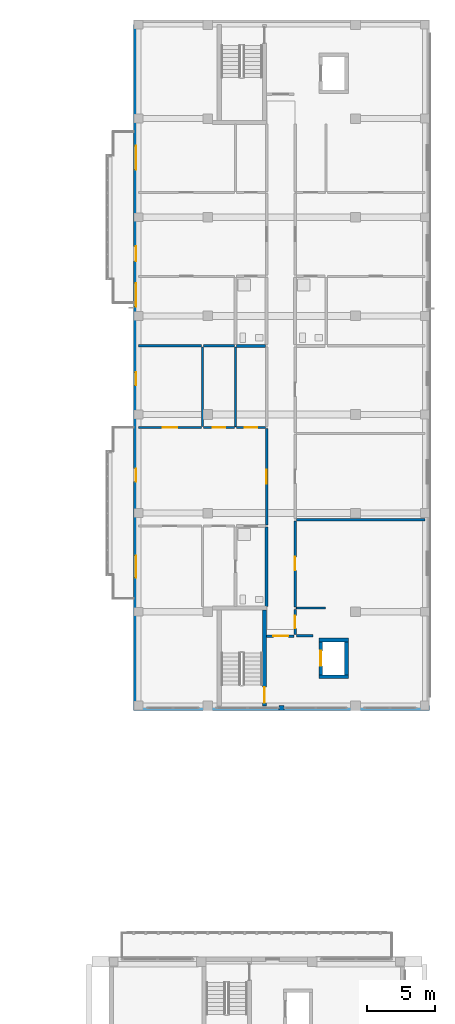
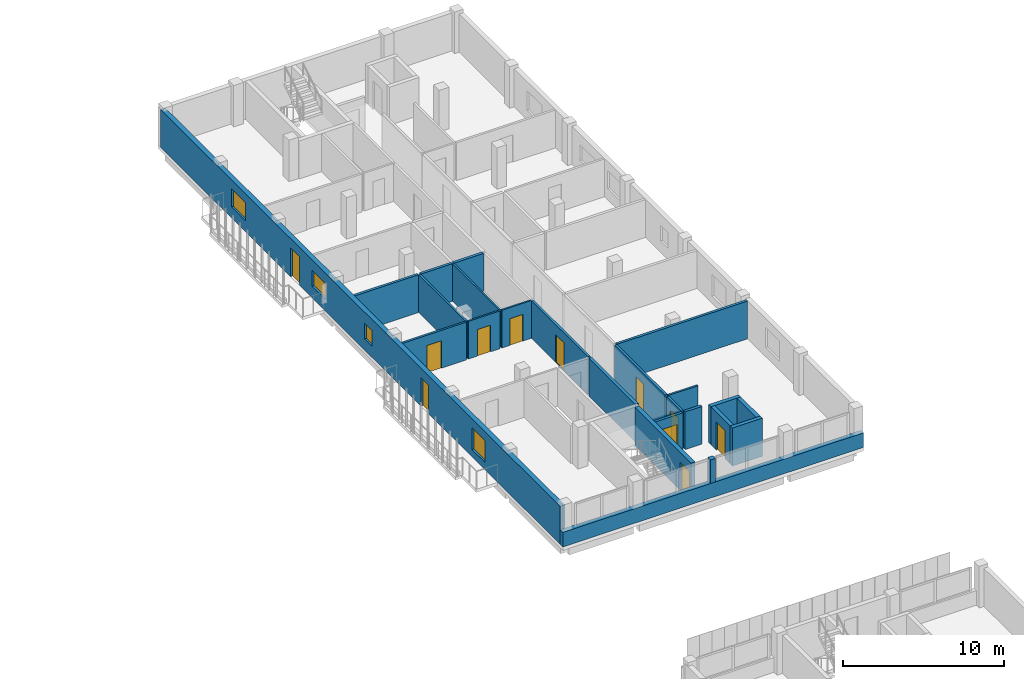
# One storey, part 34 of 51: 24 walls, 11 doors, 4 windows, 15 openings.
"""IFC4 building model written with IfcOpenShell, lengths in metres."""

from ifc_helpers import new_model, si_unit, derived_unit, direction, frame, frame_2d, origin, place, context, subcontext, project, spatial, rectangle, extrude, material, layer, layer_set, type_object, element, fill, save


model = new_model("IFC4")

# Units and contexts
model_context = context("Model", 3, precision=1e-05, world=origin(), true_north=direction((0.0, 1.0)))
body_context = subcontext(model_context, "Body", "Model", "MODEL_VIEW")
ifc_project = project(units=[si_unit("LENGTHUNIT", "METRE"), si_unit("AREAUNIT", "SQUARE_METRE"), si_unit("VOLUMEUNIT", "CUBIC_METRE"), si_unit("PLANEANGLEUNIT", "RADIAN"), si_unit("MASSUNIT", "GRAM", prefix="KILO"), derived_unit("THERMALTRANSMITTANCEUNIT", [(si_unit("MASSUNIT", "GRAM", prefix="KILO"), 1), (si_unit("TIMEUNIT", "SECOND"), -3), (si_unit("THERMODYNAMICTEMPERATUREUNIT", "KELVIN"), -1)])], contexts=[model_context])

# Site, building, storey
site_placement = place(None, origin())
site = spatial("IfcSite", under=ifc_project, at=site_placement, CompositionType="ELEMENT")
building_placement = place(site_placement, origin())
building = spatial("IfcBuilding", under=site, at=building_placement, Name="Ochrekiln Boulevard Commons", CompositionType="ELEMENT")
storey_placement = place(building_placement, frame((0.0, 0.0, 18.375)))
storey = spatial("IfcBuildingStorey", under=building, at=storey_placement, Name="L05", CompositionType="ELEMENT", Elevation=18.375)

# Wall, openings, doors, windows
ifc_material_1 = material(Name="Iron-spot brown clinker brick masonry ASTM C216 Grade SW", Category="masonry")
ifc_layer_1 = layer(ifc_material_1, 0.340087890625)
ifc_layer_set_1 = layer_set([ifc_layer_1], Name="Iron-spot brown clinker brick masonry ASTM C216 Grade SW")
wall_type_1 = type_object("IfcWallType", Name="WL-EXT-IRON-340", PredefinedType="SOLIDWALL", material=ifc_layer_set_1)
wall_1_placement = place(storey_placement, frame((151.3701171875, 68.739990234375, 0.0), z_axis=(0.0, 0.0, 1.0), x_axis=(0.0, 1.0, 0.0)))
wall_1 = element("IfcWall", 1, at=wall_1_placement, inside=storey, type_object=wall_type_1, Name="Block B L05 W Exterior Wall", PredefinedType="SOLIDWALL", context=body_context, shape_type="SweptSolid", body=[
    extrude(rectangle(XDim=49.719970703125, YDim=0.340087890625, at=frame_2d((24.85986328125, 0.0))), origin(), (0.0, 0.0, 1.0), 2.889892578125),
])
opening_1_placement = place(wall_1_placement, frame((16.360107421875, 0.0, 0.0)))
opening_1 = element("IfcOpeningElement", 2, at=opening_1_placement, cuts=wall_1, Name="Opening D-L05-BL029", PredefinedType="OPENING", context=body_context, shape_type="SweptSolid", body=[
    extrude(rectangle(XDim=0.949951171875, YDim=2.14990234375, at=frame_2d((0.47509765625, 1.074951171875))), frame((0.0, 0.179931640625, 0.0), z_axis=(0.0, -1.0, 0.0), x_axis=(1.0, 0.0, 0.0)), (0.0, 0.0, 1.0), 0.360107421875),
])
opening_2_placement = place(wall_1_placement, frame((9.35302734375, 0.0, 0.554931640625)))
opening_2 = element("IfcOpeningElement", 3, at=opening_2_placement, cuts=wall_1, Name="Opening W-34", PredefinedType="OPENING", context=body_context, shape_type="SweptSolid", body=[
    extrude(rectangle(XDim=1.60009765625, YDim=1.64990234375, at=frame_2d((0.800048828125, 0.824951171875))), frame((0.0, 0.179931640625, 0.0), z_axis=(0.0, -1.0, 0.0), x_axis=(1.0, 0.0, 0.0)), (0.0, 0.0, 1.0), 0.360107421875),
])
opening_3_placement = place(wall_1_placement, frame((23.37890625, 0.0, 0.85009765625)))
opening_3 = element("IfcOpeningElement", 4, at=opening_3_placement, cuts=wall_1, Name="Opening W-01", PredefinedType="OPENING", context=body_context, shape_type="SweptSolid", body=[
    extrude(rectangle(XDim=0.949951171875, YDim=1.199951171875, at=frame_2d((0.47509765625, 0.60009765625))), frame((0.0, 0.179931640625, 0.0), z_axis=(0.0, -1.0, 0.0), x_axis=(1.0, 0.0, 0.0)), (0.0, 0.0, 1.0), 0.360107421875),
])
opening_4_placement = place(wall_1_placement, frame((32.455078125, 0.0, 0.0)))
opening_4 = element("IfcOpeningElement", 5, at=opening_4_placement, cuts=wall_1, Name="Opening D-L05-BL030", PredefinedType="OPENING", context=body_context, shape_type="SweptSolid", body=[
    extrude(rectangle(XDim=1.080078125, YDim=2.179931640625, at=frame_2d((0.5400390625, 1.08984375))), frame((0.0, 0.179931640625, 0.0), z_axis=(0.0, -1.0, 0.0), x_axis=(1.0, 0.0, 0.0)), (0.0, 0.0, 1.0), 0.360107421875),
])
opening_5_placement = place(wall_1_placement, frame((29.139892578125, 0.0, 0.89990234375)))
opening_5 = element("IfcOpeningElement", 6, at=opening_5_placement, cuts=wall_1, Name="Opening W-36", PredefinedType="OPENING", context=body_context, shape_type="SweptSolid", body=[
    extrude(rectangle(XDim=1.719970703125, YDim=1.199951171875, at=frame_2d((0.85986328125, 0.60009765625))), frame((0.0, 0.179931640625, 0.0), z_axis=(0.0, -1.0, 0.0), x_axis=(1.0, 0.0, 0.0)), (0.0, 0.0, 1.0), 0.360107421875),
])
opening_6_placement = place(wall_1_placement, frame((39.14404296875, 0.0, 0.85498046875)))
opening_6 = element("IfcOpeningElement", 7, at=opening_6_placement, cuts=wall_1, Name="Opening W-37", PredefinedType="OPENING", context=body_context, shape_type="SweptSolid", body=[
    extrude(rectangle(XDim=1.719970703125, YDim=1.35009765625, at=frame_2d((0.85986328125, 0.675048828125))), frame((0.0, 0.179931640625, 0.0), z_axis=(0.0, -1.0, 0.0), x_axis=(1.0, 0.0, 0.0)), (0.0, 0.0, 1.0), 0.360107421875),
])
ifc_material_2 = material(Name="Thermally broken aluminium-clad oak frame", Category="aluminium")
door_type_1 = type_object("IfcDoorType", Name="DR-EXT-BAL-095", OperationType="NOTDEFINED", PredefinedType="DOOR", material=ifc_material_2)
door_1_placement = place(opening_1_placement, origin())
door_1 = element("IfcDoor", 8, at=door_1_placement, inside=storey, type_object=door_type_1, Name="Block B L05 Glazed Balcony Patio Door", OperationType="SINGLE_SWING_RIGHT", OverallHeight=2.14990234375, OverallWidth=0.949951171875, PredefinedType="DOOR", context=body_context, shape_type="SweptSolid", body=[
    extrude(rectangle(XDim=0.949951171875, YDim=2.14990234375, at=frame_2d((0.47509765625, 1.074951171875))), frame((0.0, 0.02490234375, 0.0), z_axis=(0.0, -1.0, 0.0), x_axis=(1.0, 0.0, 0.0)), (0.0, 0.0, 1.0), 0.050048828125),
])
fill(opening_1, door_1)
door_type_2 = type_object("IfcDoorType", Name="DR-EXT-BAL-108", OperationType="NOTDEFINED", PredefinedType="DOOR", material=ifc_material_2)
door_2_placement = place(opening_4_placement, origin())
door_2 = element("IfcDoor", 9, at=door_2_placement, inside=storey, type_object=door_type_2, Name="Block B L05 Glazed Balcony Patio Door", OperationType="SINGLE_SWING_LEFT", OverallHeight=2.179931640625, OverallWidth=1.080078125, PredefinedType="DOOR", context=body_context, shape_type="SweptSolid", body=[
    extrude(rectangle(XDim=1.080078125, YDim=2.179931640625, at=frame_2d((0.5400390625, 1.08984375))), frame((0.0, 0.02490234375, 0.0), z_axis=(0.0, -1.0, 0.0), x_axis=(1.0, 0.0, 0.0)), (0.0, 0.0, 1.0), 0.050048828125),
])
fill(opening_4, door_2)
window_type_1 = type_object("IfcWindowType", Name="WIN-EXT-01", PartitioningType="SINGLE_PANEL", PredefinedType="WINDOW", material=ifc_material_2)
window_1_placement = place(opening_3_placement, origin())
window_1 = element("IfcWindow", 10, at=window_1_placement, inside=storey, type_object=window_type_1, Name="Block B L05 Punched Masonry Window W-01", OverallHeight=1.199951171875, OverallWidth=0.949951171875, PartitioningType="SINGLE_PANEL", PredefinedType="WINDOW", context=body_context, shape_type="SweptSolid", body=[
    extrude(rectangle(XDim=0.949951171875, YDim=1.199951171875, at=frame_2d((0.47509765625, 0.60009765625))), frame((0.0, 0.030029296875, 0.0), z_axis=(0.0, -1.0, 0.0), x_axis=(1.0, 0.0, 0.0)), (0.0, 0.0, 1.0), 0.06005859375),
])
fill(opening_3, window_1)
window_type_2 = type_object("IfcWindowType", Name="WIN-EXT-34", PartitioningType="DOUBLE_PANEL_VERTICAL", PredefinedType="WINDOW", material=ifc_material_2)
window_2_placement = place(opening_2_placement, origin())
window_2 = element("IfcWindow", 11, at=window_2_placement, inside=storey, type_object=window_type_2, Name="Block B L05 Punched Masonry Window W-34", OverallHeight=1.64990234375, OverallWidth=1.60009765625, PartitioningType="DOUBLE_PANEL_VERTICAL", PredefinedType="WINDOW", context=body_context, shape_type="SweptSolid", body=[
    extrude(rectangle(XDim=1.60009765625, YDim=1.64990234375, at=frame_2d((0.800048828125, 0.824951171875))), frame((0.0, 0.030029296875, 0.0), z_axis=(0.0, -1.0, 0.0), x_axis=(1.0, 0.0, 0.0)), (0.0, 0.0, 1.0), 0.06005859375),
])
fill(opening_2, window_2)
window_type_3 = type_object("IfcWindowType", Name="WIN-EXT-36", PartitioningType="DOUBLE_PANEL_VERTICAL", PredefinedType="WINDOW", material=ifc_material_2)
window_3_placement = place(opening_5_placement, origin())
window_3 = element("IfcWindow", 12, at=window_3_placement, inside=storey, type_object=window_type_3, Name="Block B L05 Punched Masonry Window W-36", OverallHeight=1.199951171875, OverallWidth=1.719970703125, PartitioningType="DOUBLE_PANEL_VERTICAL", PredefinedType="WINDOW", context=body_context, shape_type="SweptSolid", body=[
    extrude(rectangle(XDim=1.719970703125, YDim=1.199951171875, at=frame_2d((0.85986328125, 0.60009765625))), frame((0.0, 0.030029296875, 0.0), z_axis=(0.0, -1.0, 0.0), x_axis=(1.0, 0.0, 0.0)), (0.0, 0.0, 1.0), 0.06005859375),
])
fill(opening_5, window_3)
window_type_4 = type_object("IfcWindowType", Name="WIN-EXT-37", PartitioningType="DOUBLE_PANEL_VERTICAL", PredefinedType="WINDOW", material=ifc_material_2)
window_4_placement = place(opening_6_placement, origin())
window_4 = element("IfcWindow", 13, at=window_4_placement, inside=storey, type_object=window_type_4, Name="Block B L05 Punched Masonry Window W-37", OverallHeight=1.35009765625, OverallWidth=1.719970703125, PartitioningType="DOUBLE_PANEL_VERTICAL", PredefinedType="WINDOW", context=body_context, shape_type="SweptSolid", body=[
    extrude(rectangle(XDim=1.719970703125, YDim=1.35009765625, at=frame_2d((0.85986328125, 0.675048828125))), frame((0.0, 0.030029296875, 0.0), z_axis=(0.0, -1.0, 0.0), x_axis=(1.0, 0.0, 0.0)), (0.0, 0.0, 1.0), 0.06005859375),
])
fill(opening_6, window_4)

# Walls
wall_2_placement = place(storey_placement, frame((151.199951171875, 68.570068359375, 0.0), z_axis=(0.0, 0.0, 1.0), x_axis=(1.0, 0.0, 0.0)))
element("IfcWall", 14, at=wall_2_placement, inside=storey, type_object=wall_type_1, Name="Block B L05 Courtyard Gable Sill Wall", PredefinedType="SOLIDWALL", context=body_context, shape_type="SweptSolid", body=[
    extrude(rectangle(XDim=21.60009765625, YDim=0.340087890625, at=frame_2d((10.800048828125, 0.0))), origin(), (0.0, 0.0, 1.0), 1.110107421875),
])
wall_3_placement = place(storey_placement, frame((161.820068359375, 68.570068359375, 1.110107421875), z_axis=(0.0, 0.0, 1.0), x_axis=(1.0, 0.0, 0.0)))
element("IfcWall", 15, at=wall_3_placement, inside=storey, type_object=wall_type_1, Name="Block B L05 Courtyard Gable Mullion Pier", PredefinedType="SOLIDWALL", context=body_context, shape_type="SweptSolid", body=[
    extrude(rectangle(XDim=0.35986328125, YDim=0.340087890625, at=frame_2d((0.179931640625, 0.0))), origin(), (0.0, 0.0, 1.0), 1.77978515625),
])
ifc_material_3 = material(Name="Moisture-resistant cementitious tile backer wall")
ifc_layer_2 = layer(ifc_material_3, 0.199951171875)
ifc_layer_set_2 = layer_set([ifc_layer_2], Name="Moisture-resistant cementitious tile backer wall")
wall_type_2 = type_object("IfcWallType", Name="WL-PLM-200", PredefinedType="PLUMBINGWALL", material=ifc_layer_set_2)
wall_4_placement = place(storey_placement, frame((158.699951171875, 95.008056640625, 0.0), z_axis=(0.0, 0.0, 1.0), x_axis=(1.0, 0.0, 0.0)))
element("IfcWall", 16, at=wall_4_placement, inside=storey, type_object=wall_type_2, Name="L05 Interior Wall W-PW200", PredefinedType="PLUMBINGWALL", context=body_context, shape_type="SweptSolid", body=[
    extrude(rectangle(XDim=2.126953125, YDim=0.199951171875, at=frame_2d((1.0634765625, 0.0))), origin(), (0.0, 0.0, 1.0), 2.8701171875),
])
ifc_layer_3 = layer(ifc_material_3, 0.219970703125)
ifc_layer_set_3 = layer_set([ifc_layer_3], Name="Moisture-resistant cementitious tile backer wall")
wall_type_3 = type_object("IfcWallType", Name="WL-PLM-220", PredefinedType="PLUMBINGWALL", material=ifc_layer_set_3)
wall_5_placement = place(storey_placement, frame((160.909912109375, 76.0, 0.0), z_axis=(0.0, 0.0, 1.0), x_axis=(0.0, 1.0, 0.0)))
element("IfcWall", 17, at=wall_5_placement, inside=storey, type_object=wall_type_3, Name="L05 Interior Wall W-PW220", PredefinedType="PLUMBINGWALL", context=body_context, shape_type="SweptSolid", body=[
    extrude(rectangle(XDim=5.784912109375, YDim=0.219970703125, at=frame_2d((2.892578125, 0.0))), origin(), (0.0, 0.0, 1.0), 2.8701171875),
])
ifc_material_4 = material(Name="Fire-rated Type X gypsum board on steel studs", Category="steel")
ifc_layer_4 = layer(ifc_material_4, 0.139892578125)
ifc_layer_set_4 = layer_set([ifc_layer_4], Name="Fire-rated Type X gypsum board on steel studs")
wall_type_4 = type_object("IfcWallType", Name="WL-PT-ACO-140", PredefinedType="PARTITIONING", material=ifc_layer_set_4)
wall_6_placement = place(storey_placement, frame((163.072998046875, 75.875, 0.0), z_axis=(0.0, 0.0, 1.0), x_axis=(1.0, 0.0, 0.0)))
element("IfcWall", 18, at=wall_6_placement, inside=storey, type_object=wall_type_4, Name="L05 Interior Wall W-PA140", PredefinedType="PARTITIONING", context=body_context, shape_type="SweptSolid", body=[
    extrude(rectangle(XDim=2.126953125, YDim=0.139892578125, at=frame_2d((1.0634765625, 0.0))), origin(), (0.0, 0.0, 1.0), 2.8701171875),
])

# Wall, opening, door
ifc_layer_5 = layer(ifc_material_4, 0.1650390625)
ifc_layer_set_5 = layer_set([ifc_layer_5], Name="Fire-rated Type X gypsum board on steel studs")
wall_type_5 = type_object("IfcWallType", Name="WL-PT-CORR-165", PredefinedType="PARTITIONING", material=ifc_layer_set_5)
wall_7_placement = place(storey_placement, frame((162.989990234375, 73.929931640625, 0.0), z_axis=(0.0, 0.0, 1.0), x_axis=(0.0, 1.0, 0.0)))
wall_7 = element("IfcWall", 19, at=wall_7_placement, inside=storey, type_object=wall_type_5, Name="L05 Interior Wall W-PC165", PredefinedType="PARTITIONING", context=body_context, shape_type="SweptSolid", body=[
    extrude(rectangle(XDim=1.820068359375, YDim=0.1650390625, at=frame_2d((0.91015625, 0.0))), origin(), (0.0, 0.0, 1.0), 2.8701171875),
])
opening_7_placement = place(wall_7_placement, frame((0.4599609375, 0.0, 0.0)))
opening_7 = element("IfcOpeningElement", 20, at=opening_7_placement, cuts=wall_7, Name="Opening D-L05-705", PredefinedType="OPENING", context=body_context, shape_type="SweptSolid", body=[
    extrude(rectangle(XDim=0.919921875, YDim=2.0400390625, at=frame_2d((0.4599609375, 1.02001953125))), frame((0.0, 0.092529296875, 0.0), z_axis=(0.0, -1.0, 0.0), x_axis=(1.0, 0.0, 0.0)), (0.0, 0.0, 1.0), 0.18505859375),
])
ifc_material_5 = material(Name="Hollow metal fire-rated steel door assembly", Category="steel")
door_type_3 = type_object("IfcDoorType", Name="DR-SRV-90", OperationType="NOTDEFINED", PredefinedType="DOOR", material=ifc_material_5)
door_3_placement = place(opening_7_placement, frame((0.919921875, 0.0, 0.0), z_axis=(0.0, 0.0, 1.0), x_axis=(-1.0, 0.0, 0.0)))
door_3 = element("IfcDoor", 21, at=door_3_placement, inside=storey, type_object=door_type_3, Name="L05 Interior Door to Hydronic and Electrical Riser Room", OperationType="SINGLE_SWING_LEFT", OverallHeight=2.0400390625, OverallWidth=0.919921875, PredefinedType="DOOR", context=body_context, shape_type="SweptSolid", body=[
    extrude(rectangle(XDim=0.919921875, YDim=2.0400390625, at=frame_2d((0.4599609375, 1.02001953125))), frame((0.0, 0.02490234375, 0.0), z_axis=(0.0, -1.0, 0.0), x_axis=(1.0, 0.0, 0.0)), (0.0, 0.0, 1.0), 0.050048828125),
])
fill(opening_7, door_3)

wall_8_placement = place(storey_placement, frame((160.909912109375, 81.945068359375, 0.0), z_axis=(0.0, 0.0, 1.0), x_axis=(0.0, 1.0, 0.0)))
wall_8 = element("IfcWall", 22, at=wall_8_placement, inside=storey, type_object=wall_type_5, Name="L05 Interior Wall W-PC165", PredefinedType="PARTITIONING", context=body_context, shape_type="SweptSolid", body=[
    extrude(rectangle(XDim=7.02783203125, YDim=0.1650390625, at=frame_2d((3.513916015625, 0.0))), origin(), (0.0, 0.0, 1.0), 2.8701171875),
])
opening_8_placement = place(wall_8_placement, frame((3.009033203125, 0.0, 0.0)))
opening_8 = element("IfcOpeningElement", 23, at=opening_8_placement, cuts=wall_8, Name="Opening D-L05-706", PredefinedType="OPENING", context=body_context, shape_type="SweptSolid", body=[
    extrude(rectangle(XDim=1.010009765625, YDim=2.110107421875, at=frame_2d((0.5048828125, 1.05517578125))), frame((0.0, 0.092529296875, 0.0), z_axis=(0.0, -1.0, 0.0), x_axis=(1.0, 0.0, 0.0)), (0.0, 0.0, 1.0), 0.18505859375),
])
ifc_material_6 = material(Name="Solid core architectural oak door leaf")
door_type_4 = type_object("IfcDoorType", Name="DR-INT-APT-101", OperationType="NOTDEFINED", PredefinedType="DOOR", material=ifc_material_6)
door_4_placement = place(opening_8_placement, origin())
door_4 = element("IfcDoor", 24, at=door_4_placement, inside=storey, type_object=door_type_4, Name="L05 Interior Door to Two-Bedroom Apartment Living Room", OperationType="SINGLE_SWING_RIGHT", OverallHeight=2.110107421875, OverallWidth=1.010009765625, PredefinedType="DOOR", context=body_context, shape_type="SweptSolid", body=[
    extrude(rectangle(XDim=1.010009765625, YDim=2.110107421875, at=frame_2d((0.5048828125, 1.05517578125))), frame((0.0, 0.02490234375, 0.0), z_axis=(0.0, -1.0, 0.0), x_axis=(1.0, 0.0, 0.0)), (0.0, 0.0, 1.0), 0.050048828125),
])
fill(opening_8, door_4)

wall_9_placement = place(storey_placement, frame((162.989990234375, 75.945068359375, 0.0), z_axis=(0.0, 0.0, 1.0), x_axis=(0.0, 1.0, 0.0)))
wall_9 = element("IfcWall", 25, at=wall_9_placement, inside=storey, type_object=wall_type_5, Name="L05 Interior Wall W-PC165", PredefinedType="PARTITIONING", context=body_context, shape_type="SweptSolid", body=[
    extrude(rectangle(XDim=6.27099609375, YDim=0.1650390625, at=frame_2d((3.135498046875, 0.0))), origin(), (0.0, 0.0, 1.0), 2.8701171875),
])
opening_9_placement = place(wall_9_placement, frame((2.673095703125, 0.0, 0.0)))
opening_9 = element("IfcOpeningElement", 26, at=opening_9_placement, cuts=wall_9, Name="Opening D-L05-708", PredefinedType="OPENING", context=body_context, shape_type="SweptSolid", body=[
    extrude(rectangle(XDim=0.97998046875, YDim=2.080078125, at=frame_2d((0.489990234375, 1.0400390625))), frame((0.0, 0.092529296875, 0.0), z_axis=(0.0, -1.0, 0.0), x_axis=(1.0, 0.0, 0.0)), (0.0, 0.0, 1.0), 0.18505859375),
])
door_type_5 = type_object("IfcDoorType", Name="DR-APT-60", OperationType="NOTDEFINED", PredefinedType="DOOR", material=ifc_material_6)
door_5_placement = place(opening_9_placement, frame((0.97998046875, 0.0, 0.0), z_axis=(0.0, 0.0, 1.0), x_axis=(-1.0, 0.0, 0.0)))
door_5 = element("IfcDoor", 27, at=door_5_placement, inside=storey, type_object=door_type_5, Name="L05 Interior Door to Resident Study Lounge", OperationType="SINGLE_SWING_RIGHT", OverallHeight=2.080078125, OverallWidth=0.97998046875, PredefinedType="DOOR", context=body_context, shape_type="SweptSolid", body=[
    extrude(rectangle(XDim=0.97998046875, YDim=2.080078125, at=frame_2d((0.489990234375, 1.0400390625))), frame((0.0, 0.02490234375, 0.0), z_axis=(0.0, -1.0, 0.0), x_axis=(1.0, 0.0, 0.0)), (0.0, 0.0, 1.0), 0.050048828125),
])
fill(opening_9, door_5)

# Walls
ifc_layer_6 = layer(ifc_material_4, 0.179931640625)
ifc_layer_set_6 = layer_set([ifc_layer_6], Name="Fire-rated Type X gypsum board on steel studs")
wall_type_6 = type_object("IfcWallType", Name="WL-PT-DEM-180", PredefinedType="PARTITIONING", material=ifc_layer_set_6)
wall_10_placement = place(storey_placement, frame((151.5400390625, 95.008056640625, 0.0), z_axis=(0.0, 0.0, 1.0), x_axis=(1.0, 0.0, 0.0)))
element("IfcWall", 28, at=wall_10_placement, inside=storey, type_object=wall_type_6, Name="L05 Interior Wall W-PD180", PredefinedType="PARTITIONING", context=body_context, shape_type="SweptSolid", body=[
    extrude(rectangle(XDim=4.60986328125, YDim=0.179931640625, at=frame_2d((2.304931640625, 0.0))), origin(), (0.0, 0.0, 1.0), 2.8701171875),
])
wall_11_placement = place(storey_placement, frame((156.304931640625, 95.008056640625, 0.0), z_axis=(0.0, 0.0, 1.0), x_axis=(1.0, 0.0, 0.0)))
element("IfcWall", 29, at=wall_11_placement, inside=storey, type_object=wall_type_6, Name="L05 Interior Wall W-PD180", PredefinedType="PARTITIONING", context=body_context, shape_type="SweptSolid", body=[
    extrude(rectangle(XDim=2.275146484375, YDim=0.179931640625, at=frame_2d((1.1376953125, 0.0))), origin(), (0.0, 0.0, 1.0), 2.8701171875),
])
wall_12_placement = place(storey_placement, frame((163.072998046875, 82.305908203125, 0.0), z_axis=(0.0, 0.0, 1.0), x_axis=(1.0, 0.0, 0.0)))
element("IfcWall", 30, at=wall_12_placement, inside=storey, type_object=wall_type_6, Name="L05 Interior Wall W-PD180", PredefinedType="PARTITIONING", context=body_context, shape_type="SweptSolid", body=[
    extrude(rectangle(XDim=9.386962890625, YDim=0.179931640625, at=frame_2d((4.693359375, 0.0))), origin(), (0.0, 0.0, 1.0), 2.8701171875),
])
ifc_layer_7 = layer(ifc_material_4, 0.18994140625)
ifc_layer_set_7 = layer_set([ifc_layer_7], Name="Fire-rated Type X gypsum board on steel studs")
wall_type_7 = type_object("IfcWallType", Name="WL-PT-LBY-190", PredefinedType="PARTITIONING", material=ifc_layer_set_7)
wall_13_placement = place(storey_placement, frame((163.080078125, 73.8349609375, 0.0), z_axis=(0.0, 0.0, 1.0), x_axis=(1.0, 0.0, 0.0)))
element("IfcWall", 31, at=wall_13_placement, inside=storey, type_object=wall_type_7, Name="L05 Interior Wall W-PL190", PredefinedType="PARTITIONING", context=body_context, shape_type="SweptSolid", body=[
    extrude(rectangle(XDim=1.219970703125, YDim=0.18994140625, at=frame_2d((0.60986328125, 0.0))), origin(), (0.0, 0.0, 1.0), 2.8701171875),
])

# Wall, opening, door
wall_14_placement = place(storey_placement, frame((160.89990234375, 73.820068359375, 0.0), z_axis=(0.0, 0.0, 1.0), x_axis=(1.0, 0.0, 0.0)))
wall_14 = element("IfcWall", 32, at=wall_14_placement, inside=storey, type_object=wall_type_7, Name="L05 Interior Wall W-PL190", PredefinedType="PARTITIONING", context=body_context, shape_type="SweptSolid", body=[
    extrude(rectangle(XDim=2.0, YDim=0.18994140625, at=frame_2d((1.0, 0.0))), origin(), (0.0, 0.0, 1.0), 2.8701171875),
])
opening_10_placement = place(wall_14_placement, frame((0.5, 0.0, 0.0)))
opening_10 = element("IfcOpeningElement", 33, at=opening_10_placement, cuts=wall_14, Name="Opening D-L05-703", PredefinedType="OPENING", context=body_context, shape_type="SweptSolid", body=[
    extrude(rectangle(XDim=1.10009765625, YDim=2.1201171875, at=frame_2d((0.550048828125, 1.06005859375))), frame((0.0, 0.10498046875, 0.0), z_axis=(0.0, -1.0, 0.0), x_axis=(1.0, 0.0, 0.0)), (0.0, 0.0, 1.0), 0.2099609375),
])
door_type_6 = type_object("IfcDoorType", Name="DR-LOBBY-60", OperationType="NOTDEFINED", PredefinedType="DOOR", material=ifc_material_5)
door_6_placement = place(opening_10_placement, frame((1.10009765625, 0.0, 0.0), z_axis=(0.0, 0.0, 1.0), x_axis=(-1.0, 0.0, 0.0)))
door_6 = element("IfcDoor", 34, at=door_6_placement, inside=storey, type_object=door_type_6, Name="L05 Interior Door to Fire Service Access Elevator Lobby", OperationType="SINGLE_SWING_LEFT", OverallHeight=2.1201171875, OverallWidth=1.10009765625, PredefinedType="DOOR", context=body_context, shape_type="SweptSolid", body=[
    extrude(rectangle(XDim=1.10009765625, YDim=2.1201171875, at=frame_2d((0.550048828125, 1.06005859375))), frame((0.0, 0.02490234375, 0.0), z_axis=(0.0, -1.0, 0.0), x_axis=(1.0, 0.0, 0.0)), (0.0, 0.0, 1.0), 0.050048828125),
])
fill(opening_10, door_6)

ifc_layer_8 = layer(ifc_material_4, 0.1201171875)
ifc_layer_set_8 = layer_set([ifc_layer_8], Name="Fire-rated Type X gypsum board on steel studs")
wall_type_8 = type_object("IfcWallType", Name="WL-PT-LGT-120", PredefinedType="PARTITIONING", material=ifc_layer_set_8)
wall_15_placement = place(storey_placement, frame((158.719970703125, 89.052978515625, 0.0), z_axis=(0.0, 0.0, 1.0), x_axis=(1.0, 0.0, 0.0)))
wall_15 = element("IfcWall", 35, at=wall_15_placement, inside=storey, type_object=wall_type_8, Name="L05 Interior Wall W-PL120", PredefinedType="PARTITIONING", context=body_context, shape_type="SweptSolid", body=[
    extrude(rectangle(XDim=2.10693359375, YDim=0.1201171875, at=frame_2d((1.053466796875, 0.0))), origin(), (0.0, 0.0, 1.0), 2.8701171875),
])
opening_11_placement = place(wall_15_placement, frame((0.590087890625, 0.0, 0.0)))
opening_11 = element("IfcOpeningElement", 36, at=opening_11_placement, cuts=wall_15, Name="Opening D-L05-713", PredefinedType="OPENING", context=body_context, shape_type="SweptSolid", body=[
    extrude(rectangle(XDim=0.919921875, YDim=2.02001953125, at=frame_2d((0.4599609375, 1.010009765625))), frame((0.0, 0.070068359375, 0.0), z_axis=(0.0, -1.0, 0.0), x_axis=(1.0, 0.0, 0.0)), (0.0, 0.0, 1.0), 0.14013671875),
])
door_type_7 = type_object("IfcDoorType", Name="DR-INT-KIT-092", OperationType="NOTDEFINED", PredefinedType="DOOR", material=ifc_material_6)
door_7_placement = place(opening_11_placement, origin())
door_7 = element("IfcDoor", 37, at=door_7_placement, inside=storey, type_object=door_type_7, Name="L05 Interior Door to Apartment Kitchen", OperationType="SINGLE_SWING_LEFT", OverallHeight=2.02001953125, OverallWidth=0.919921875, PredefinedType="DOOR", context=body_context, shape_type="SweptSolid", body=[
    extrude(rectangle(XDim=0.919921875, YDim=2.02001953125, at=frame_2d((0.4599609375, 1.010009765625))), frame((0.0, 0.02490234375, 0.0), z_axis=(0.0, -1.0, 0.0), x_axis=(1.0, 0.0, 0.0)), (0.0, 0.0, 1.0), 0.050048828125),
])
fill(opening_11, door_7)

wall_16_placement = place(storey_placement, frame((156.31005859375, 89.052978515625, 0.0), z_axis=(0.0, 0.0, 1.0), x_axis=(1.0, 0.0, 0.0)))
wall_16 = element("IfcWall", 38, at=wall_16_placement, inside=storey, type_object=wall_type_8, Name="L05 Interior Wall W-PL120", PredefinedType="PARTITIONING", context=body_context, shape_type="SweptSolid", body=[
    extrude(rectangle(XDim=2.25, YDim=0.1201171875, at=frame_2d((1.125, 0.0))), origin(), (0.0, 0.0, 1.0), 2.8701171875),
])
opening_12_placement = place(wall_16_placement, frame((0.6650390625, 0.0, 0.0)))
opening_12 = element("IfcOpeningElement", 39, at=opening_12_placement, cuts=wall_16, Name="Opening D-L05-717", PredefinedType="OPENING", context=body_context, shape_type="SweptSolid", body=[
    extrude(rectangle(XDim=0.919921875, YDim=2.02001953125, at=frame_2d((0.4599609375, 1.010009765625))), frame((0.0, 0.070068359375, 0.0), z_axis=(0.0, -1.0, 0.0), x_axis=(1.0, 0.0, 0.0)), (0.0, 0.0, 1.0), 0.14013671875),
])
door_8_placement = place(opening_12_placement, origin())
door_8 = element("IfcDoor", 40, at=door_8_placement, inside=storey, type_object=door_type_7, Name="L05 Interior Door to Apartment Walk-In Wardrobe", OperationType="SINGLE_SWING_LEFT", OverallHeight=2.02001953125, OverallWidth=0.919921875, PredefinedType="DOOR", context=body_context, shape_type="SweptSolid", body=[
    extrude(rectangle(XDim=0.919921875, YDim=2.02001953125, at=frame_2d((0.4599609375, 1.010009765625))), frame((0.0, 0.02490234375, 0.0), z_axis=(0.0, -1.0, 0.0), x_axis=(1.0, 0.0, 0.0)), (0.0, 0.0, 1.0), 0.050048828125),
])
fill(opening_12, door_8)

# Wall
wall_17_placement = place(storey_placement, frame((158.639892578125, 89.113037109375, 0.0), z_axis=(0.0, 0.0, 1.0), x_axis=(0.0, 1.0, 0.0)))
element("IfcWall", 41, at=wall_17_placement, inside=storey, type_object=wall_type_8, Name="L05 Interior Wall W-PL120", PredefinedType="PARTITIONING", context=body_context, shape_type="SweptSolid", body=[
    extrude(rectangle(XDim=5.804931640625, YDim=0.1201171875, at=frame_2d((2.90234375, 0.0))), origin(), (0.0, 0.0, 1.0), 2.8701171875),
])

# Wall, opening, door
ifc_layer_9 = layer(ifc_material_4, 0.14990234375)
ifc_layer_set_9 = layer_set([ifc_layer_9], Name="Fire-rated Type X gypsum board on steel studs")
wall_type_9 = type_object("IfcWallType", Name="WL-PT-STD-150", PredefinedType="PARTITIONING", material=ifc_layer_set_9)
wall_18_placement = place(storey_placement, frame((151.5400390625, 89.052978515625, 0.0), z_axis=(0.0, 0.0, 1.0), x_axis=(1.0, 0.0, 0.0)))
wall_18 = element("IfcWall", 42, at=wall_18_placement, inside=storey, type_object=wall_type_9, Name="L05 Interior Wall W-PS150", PredefinedType="PARTITIONING", context=body_context, shape_type="SweptSolid", body=[
    extrude(rectangle(XDim=4.60986328125, YDim=0.14990234375, at=frame_2d((2.304931640625, 0.0))), origin(), (0.0, 0.0, 1.0), 2.8701171875),
])
opening_13_placement = place(wall_18_placement, frame((1.7900390625, 0.0, 0.0)))
opening_13 = element("IfcOpeningElement", 43, at=opening_13_placement, cuts=wall_18, Name="Opening D-L05-716", PredefinedType="OPENING", context=body_context, shape_type="SweptSolid", body=[
    extrude(rectangle(XDim=1.0400390625, YDim=2.080078125, at=frame_2d((0.52001953125, 1.0400390625))), frame((0.0, 0.0849609375, 0.0), z_axis=(0.0, -1.0, 0.0), x_axis=(1.0, 0.0, 0.0)), (0.0, 0.0, 1.0), 0.169921875),
])
door_type_8 = type_object("IfcDoorType", Name="DR-INT-BED-104", OperationType="NOTDEFINED", PredefinedType="DOOR", material=ifc_material_6)
door_9_placement = place(opening_13_placement, origin())
door_9 = element("IfcDoor", 44, at=door_9_placement, inside=storey, type_object=door_type_8, Name="L05 Interior Door to Secondary Apartment Bedroom", OperationType="SINGLE_SWING_RIGHT", OverallHeight=2.080078125, OverallWidth=1.0400390625, PredefinedType="DOOR", context=body_context, shape_type="SweptSolid", body=[
    extrude(rectangle(XDim=1.0400390625, YDim=2.080078125, at=frame_2d((0.52001953125, 1.0400390625))), frame((0.0, 0.02490234375, 0.0), z_axis=(0.0, -1.0, 0.0), x_axis=(1.0, 0.0, 0.0)), (0.0, 0.0, 1.0), 0.050048828125),
])
fill(opening_13, door_9)

# Walls
wall_19_placement = place(storey_placement, frame((156.22998046875, 89.113037109375, 0.0), z_axis=(0.0, 0.0, 1.0), x_axis=(0.0, 1.0, 0.0)))
element("IfcWall", 45, at=wall_19_placement, inside=storey, type_object=wall_type_9, Name="L05 Interior Wall W-PS150", PredefinedType="PARTITIONING", context=body_context, shape_type="SweptSolid", body=[
    extrude(rectangle(XDim=5.804931640625, YDim=0.14990234375, at=frame_2d((2.90234375, 0.0))), origin(), (0.0, 0.0, 1.0), 2.8701171875),
])
ifc_material_7 = material(Name="Concrete C40/50", Category="concrete")
ifc_layer_10 = layer(ifc_material_7, 0.27490234375)
ifc_layer_set_10 = layer_set([ifc_layer_10], Name="Concrete C40/50")
wall_type_10 = type_object("IfcWallType", Name="WL-SH-275", PredefinedType="SHEAR", material=ifc_layer_set_10)
for number, where, z_axis, x_axis, name in (
    (46, (164.72509765625, 70.862548828125, 0.0), (0.0, 0.0, 1.0), (1.0, 0.0, 0.0), "Elevator FF-B1 L05 Hoistway Shear Wall"),
    (47, (164.72509765625, 73.53759765625, 0.0), (0.0, 0.0, 1.0), (1.0, 0.0, 0.0), "Elevator FF-B1 L05 Hoistway Shear Wall"),
):
    element("IfcWall", number, at=place(storey_placement, frame(where, z_axis=z_axis, x_axis=x_axis)), inside=storey, type_object=wall_type_10, Name=name, PredefinedType="SHEAR", context=body_context, shape_type="SweptSolid", body=[
        extrude(rectangle(XDim=2.14990234375, YDim=0.27490234375, at=frame_2d((1.074951171875, 0.0))), origin(), (0.0, 0.0, 1.0), 2.889892578125),
    ])

# Wall, opening, door
wall_20_placement = place(storey_placement, frame((164.862548828125, 71.0, 0.0), z_axis=(0.0, 0.0, 1.0), x_axis=(0.0, 1.0, 0.0)))
wall_20 = element("IfcWall", 48, at=wall_20_placement, inside=storey, type_object=wall_type_10, Name="Elevator FF-B1 L05 Hoistway Shear Wall", PredefinedType="SHEAR", context=body_context, shape_type="SweptSolid", body=[
    extrude(rectangle(XDim=2.39990234375, YDim=0.27490234375, at=frame_2d((1.199951171875, 0.0))), origin(), (0.0, 0.0, 1.0), 2.889892578125),
])
opening_14_placement = place(wall_20_placement, frame((0.64990234375, 0.0, 0.0)))
opening_14 = element("IfcOpeningElement", 49, at=opening_14_placement, cuts=wall_20, Name="Opening LD-FF-B1-L05", PredefinedType="OPENING", context=body_context, shape_type="SweptSolid", body=[
    extrude(rectangle(XDim=1.10009765625, YDim=2.14990234375, at=frame_2d((0.550048828125, 1.074951171875))), frame((0.0, 0.1474609375, 0.0), z_axis=(0.0, -1.0, 0.0), x_axis=(1.0, 0.0, 0.0)), (0.0, 0.0, 1.0), 0.294921875),
])
ifc_material_8 = material(Name="Brushed stainless steel 316 elevator cab and doors", Category="steel")
door_type_9 = type_object("IfcDoorType", Name="DR-LIFT-LD90", OperationType="SLIDING_TO_LEFT", PredefinedType="DOOR", material=ifc_material_8)
door_10_placement = place(opening_14_placement, origin())
door_10 = element("IfcDoor", 50, at=door_10_placement, inside=storey, type_object=door_type_9, Name="Elevator FF-B1 L05 Sliding Landing Door LD-FF-B1-L05", OperationType="SLIDING_TO_LEFT", OverallHeight=2.14990234375, OverallWidth=1.10009765625, PredefinedType="DOOR", context=body_context, shape_type="SweptSolid", body=[
    extrude(rectangle(XDim=1.10009765625, YDim=2.14990234375, at=frame_2d((0.550048828125, 1.074951171875))), frame((0.0, 0.02490234375, 0.0), z_axis=(0.0, -1.0, 0.0), x_axis=(1.0, 0.0, 0.0)), (0.0, 0.0, 1.0), 0.050048828125),
])
fill(opening_14, door_10)

# Wall
wall_21_placement = place(storey_placement, frame((166.737548828125, 71.0, 0.0), z_axis=(0.0, 0.0, 1.0), x_axis=(0.0, 1.0, 0.0)))
element("IfcWall", 51, at=wall_21_placement, inside=storey, type_object=wall_type_10, Name="Elevator FF-B1 L05 Hoistway Shear Wall", PredefinedType="SHEAR", context=body_context, shape_type="SweptSolid", body=[
    extrude(rectangle(XDim=2.39990234375, YDim=0.27490234375, at=frame_2d((1.199951171875, 0.0))), origin(), (0.0, 0.0, 1.0), 2.889892578125),
])

# Wall, opening, door
ifc_layer_11 = layer(ifc_material_7, 0.300048828125)
ifc_layer_set_11 = layer_set([ifc_layer_11], Name="Concrete C40/50")
wall_type_11 = type_object("IfcWallType", Name="WL-SH-300", PredefinedType="SHEAR", material=ifc_layer_set_11)
wall_22_placement = place(storey_placement, frame((160.75, 68.719970703125, 0.0), z_axis=(0.0, 0.0, 1.0), x_axis=(0.0, 1.0, 0.0)))
wall_22 = element("IfcWall", 52, at=wall_22_placement, inside=storey, type_object=wall_type_11, Name="Stair ST-B1 L05 Core Shear Wall E", PredefinedType="SHEAR", context=body_context, shape_type="SweptSolid", body=[
    extrude(rectangle(XDim=7.0, YDim=0.300048828125, at=frame_2d((3.5, 0.0))), origin(), (0.0, 0.0, 1.0), 2.889892578125),
])
opening_15_placement = place(wall_22_placement, frame((0.22509765625, 0.0, 0.0)))
opening_15 = element("IfcOpeningElement", 53, at=opening_15_placement, cuts=wall_22, Name="Opening D-L05-ST-B1", PredefinedType="OPENING", context=body_context, shape_type="SweptSolid", body=[
    extrude(rectangle(XDim=1.14990234375, YDim=2.1201171875, at=frame_2d((0.574951171875, 1.06005859375))), frame((0.0, 0.159912109375, 0.0), z_axis=(0.0, -1.0, 0.0), x_axis=(1.0, 0.0, 0.0)), (0.0, 0.0, 1.0), 0.320068359375),
])
door_type_10 = type_object("IfcDoorType", Name="DR-STAIR-90", OperationType="NOTDEFINED", PredefinedType="DOOR", material=ifc_material_5)
door_11_placement = place(opening_15_placement, origin())
door_11 = element("IfcDoor", 54, at=door_11_placement, inside=storey, type_object=door_type_10, Name="Enclosed Exit Stair ST-B1 L05 Rated Door", OperationType="SINGLE_SWING_LEFT", OverallHeight=2.1201171875, OverallWidth=1.14990234375, PredefinedType="DOOR", context=body_context, shape_type="SweptSolid", body=[
    extrude(rectangle(XDim=1.14990234375, YDim=2.1201171875, at=frame_2d((0.574951171875, 1.06005859375))), frame((0.0, 0.02490234375, 0.0), z_axis=(0.0, -1.0, 0.0), x_axis=(1.0, 0.0, 0.0)), (0.0, 0.0, 1.0), 0.050048828125),
])
fill(opening_15, door_11)

save(model, "model.ifc")
